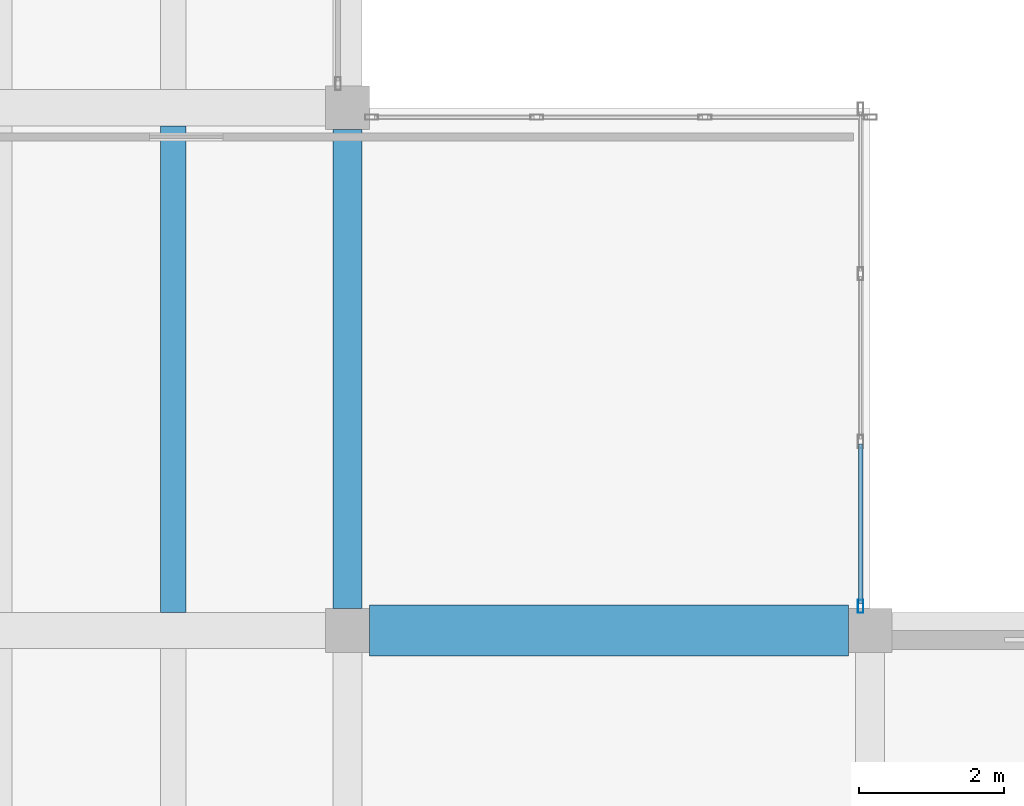
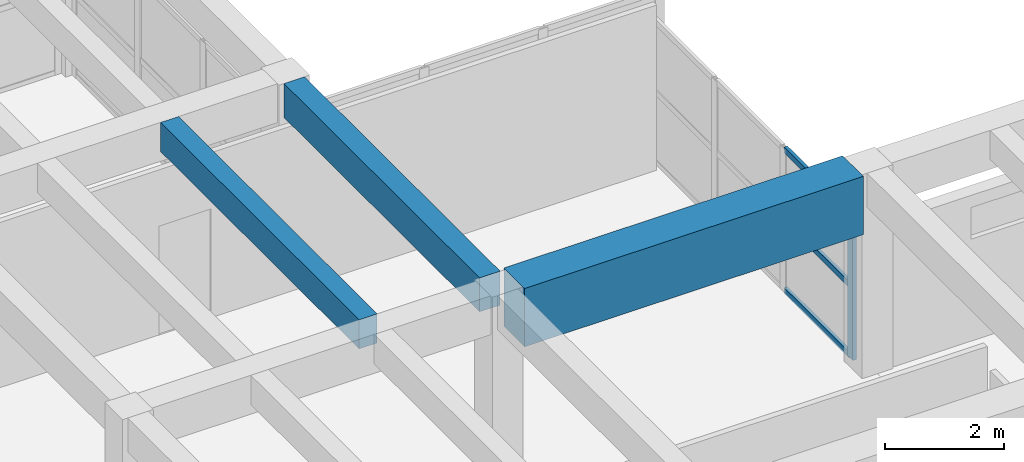
# One storey, part 87 of 153: 4 members, 3 beams, 1 element without a shape of its own.
"""IFC4 building model written with IfcOpenShell, lengths in metres."""

from ifc_helpers import new_model, si_unit, direction, frame, origin, origin_2d, place, context, subcontext, project, spatial, rectangle, hollow_rectangle, extrude, material, material_profile, profile_set, type_object, element, aggregate, save


model = new_model("IFC4")

# Units and contexts
model_context = context("Model", 3, precision=1e-05, world=origin(), true_north=direction((0.0, 1.0)))
body_context = subcontext(model_context, "Body", "Model", "MODEL_VIEW")
ifc_project = project(units=[si_unit("LENGTHUNIT", "METRE"), si_unit("AREAUNIT", "SQUARE_METRE"), si_unit("VOLUMEUNIT", "CUBIC_METRE"), si_unit("PLANEANGLEUNIT", "RADIAN"), si_unit("MASSUNIT", "GRAM", prefix="KILO")], contexts=[model_context])

# Site, building, storey
site_placement = place(None, origin())
site = spatial("IfcSite", under=ifc_project, at=site_placement, CompositionType="ELEMENT")
building_placement = place(site_placement, origin())
building = spatial("IfcBuilding", under=site, at=building_placement, Name="Bramvelor Terrace Health Centre", CompositionType="ELEMENT")
storey_placement = place(building_placement, frame((0.0, 0.0, 4.800048828125)))
storey = spatial("IfcBuildingStorey", under=building, at=storey_placement, Name="L02", CompositionType="ELEMENT", Elevation=4.800048828125)

# Beams
ifc_material_1 = material(Name="Concrete C40/50", Category="concrete")
ifc_material_profile_1 = material_profile(ifc_material_1, rectangle(XDim=0.39990234375, YDim=0.699951171875, at=origin_2d()), Name="RC 400x700")
ifc_profile_set_1 = profile_set([ifc_material_profile_1], Name="Concrete C40/50")
beam_type_1 = type_object("IfcBeamType", Name="BM-RC-G700", PredefinedType="BEAM", material=ifc_profile_set_1)
beam_1_placement = place(storey_placement, frame((36.0, 101.10009765625, 3.849853515625), z_axis=(0.0, 1.0, 0.0), x_axis=(-1.0, 0.0, 0.0)))
element("IfcBeam", 1, at=beam_1_placement, inside=storey, type_object=beam_type_1, Name="L02 Floor Girder", PredefinedType="BEAM", context=body_context, shape_type="SweptSolid", body=[
    extrude(rectangle(XDim=0.39990234375, YDim=0.699951171875, at=origin_2d()), origin(), (0.0, 0.0, 1.0), 6.599853515625),
])
ifc_material_2 = material(Name="Concrete C40/50", Category="concrete")
ifc_material_profile_2 = material_profile(ifc_material_2, rectangle(XDim=0.35009765625, YDim=0.60009765625, at=origin_2d()), Name="RC 350x600")
ifc_profile_set_2 = profile_set([ifc_material_profile_2], Name="Concrete C40/50")
beam_type_2 = type_object("IfcBeamType", Name="BM-RC-J600", PredefinedType="JOIST", material=ifc_profile_set_2)
beam_2_placement = place(storey_placement, frame((33.60009765625, 101.050048828125, 3.89990234375), z_axis=(0.0, 1.0, 0.0), x_axis=(-1.0, 0.0, 0.0)))
element("IfcBeam", 2, at=beam_2_placement, inside=storey, type_object=beam_type_2, Name="L02 Secondary Floor Joist", PredefinedType="JOIST", context=body_context, shape_type="SweptSolid", body=[
    extrude(rectangle(XDim=0.35009765625, YDim=0.60009765625, at=origin_2d()), origin(), (0.0, 0.0, 1.0), 6.699951171875),
])
ifc_material_3 = material(Name="Concrete C40/50", Category="concrete")
ifc_material_profile_3 = material_profile(ifc_material_3, rectangle(XDim=0.699951171875, YDim=1.199951171875, at=origin_2d()), Name="RC 700x1200")
ifc_profile_set_3 = profile_set([ifc_material_profile_3], Name="Concrete C40/50")
beam_type_3 = type_object("IfcBeamType", Name="BM-RC-TG1200", PredefinedType="BEAM", material=ifc_profile_set_3)
beam_3_placement = place(storey_placement, frame((36.300048828125, 100.800048828125, 3.599853515625), z_axis=(1.0, 0.0, 0.0), x_axis=(0.0, 1.0, 0.0)))
element("IfcBeam", 3, at=beam_3_placement, inside=storey, type_object=beam_type_3, Name="L02 Half-Bay Setback Transfer Girder", PredefinedType="BEAM", context=body_context, shape_type="SweptSolid", body=[
    extrude(rectangle(XDim=0.699951171875, YDim=1.199951171875, at=origin_2d()), origin(), (0.0, 0.0, 1.0), 6.599853515625),
])

# Curtain wall, members
ifc_material_4 = material(Name="Anodized aluminium and double low-E glass", Category="aluminium")
curtain_wall_type = type_object("IfcCurtainWallType", Name="CW-SYS-15", PredefinedType="NOTDEFINED", material=ifc_material_4)
curtain_wall_placement = place(storey_placement, origin())
curtain_wall = element("IfcCurtainWall", 4, at=curtain_wall_placement, inside=storey, type_object=curtain_wall_type, Name="L02 Unitized Curtain Wall 85", PredefinedType="NOTDEFINED")
ifc_material_5 = material(Name="Anodized aluminium 6063-T6", Category="aluminium")
ifc_material_profile_4 = material_profile(ifc_material_5, hollow_rectangle(XDim=0.074951171875, YDim=0.179931640625, WallThickness=0.00341796875, at=origin_2d()), Name="ALU-MUL 75x180x3.5")
ifc_profile_set_4 = profile_set([ifc_material_profile_4], Name="Anodized aluminium 6063-T6")
member_type_1 = type_object("IfcMemberType", Name="CW-MUL-65x180", PredefinedType="MULLION", material=ifc_profile_set_4)
member_1_placement = place(storey_placement, frame((43.070068359375, 101.132568359375, 0.0), z_axis=(0.0, 0.0, 1.0), x_axis=(1.0, 0.0, 0.0)))
member_1 = element("IfcMember", 5, at=member_1_placement, type_object=member_type_1, Name="CW-15 mullion 4", PredefinedType="MULLION", context=body_context, shape_type="SweptSolid", body=[
    extrude(hollow_rectangle(XDim=0.074951171875, YDim=0.179931640625, WallThickness=0.00341796875, at=origin_2d()), origin(), (0.0, 0.0, 1.0), 2.9599609375),
])
ifc_material_6 = material(Name="Anodized aluminium 6063-T6", Category="aluminium")
ifc_material_profile_5 = material_profile(ifc_material_6, hollow_rectangle(XDim=0.06494140625, YDim=0.1201171875, WallThickness=0.0029296875, at=origin_2d()), Name="ALU-TRN 65x120x3.0")
ifc_profile_set_5 = profile_set([ifc_material_profile_5], Name="Anodized aluminium 6063-T6")
member_type_2 = type_object("IfcMemberType", Name="CW-TRN-65x150", PredefinedType="USERDEFINED", material=ifc_profile_set_5)
member_2_placement = place(storey_placement, frame((43.070068359375, 103.36572265625, 0.032470703125), z_axis=(0.0, -1.0, 0.0), x_axis=(1.0, 0.0, 0.0)))
member_2 = element("IfcMember", 6, at=member_2_placement, type_object=member_type_2, Name="CW-15 transom 3.1", ObjectType="TRANSOM", PredefinedType="USERDEFINED", context=body_context, shape_type="SweptSolid", body=[
    extrude(hollow_rectangle(XDim=0.06494140625, YDim=0.1201171875, WallThickness=0.0029296875, at=origin_2d()), origin(), (0.0, 0.0, 1.0), 2.19580078125),
])
member_3_placement = place(storey_placement, frame((43.070068359375, 103.36572265625, 1.47998046875), z_axis=(0.0, -1.0, 0.0), x_axis=(1.0, 0.0, 0.0)))
member_3 = element("IfcMember", 7, at=member_3_placement, type_object=member_type_2, Name="CW-15 transom 3.2", ObjectType="TRANSOM", PredefinedType="USERDEFINED", context=body_context, shape_type="SweptSolid", body=[
    extrude(hollow_rectangle(XDim=0.06494140625, YDim=0.1201171875, WallThickness=0.0029296875, at=origin_2d()), origin(), (0.0, 0.0, 1.0), 2.19580078125),
])
member_4_placement = place(storey_placement, frame((43.070068359375, 103.36572265625, 2.927490234375), z_axis=(0.0, -1.0, 0.0), x_axis=(1.0, 0.0, 0.0)))
member_4 = element("IfcMember", 8, at=member_4_placement, type_object=member_type_2, Name="CW-15 transom 3.3", ObjectType="TRANSOM", PredefinedType="USERDEFINED", context=body_context, shape_type="SweptSolid", body=[
    extrude(hollow_rectangle(XDim=0.06494140625, YDim=0.1201171875, WallThickness=0.0029296875, at=origin_2d()), origin(), (0.0, 0.0, 1.0), 2.19580078125),
])
aggregate(curtain_wall, [member_1, member_2, member_3, member_4])

save(model, "model.ifc")
